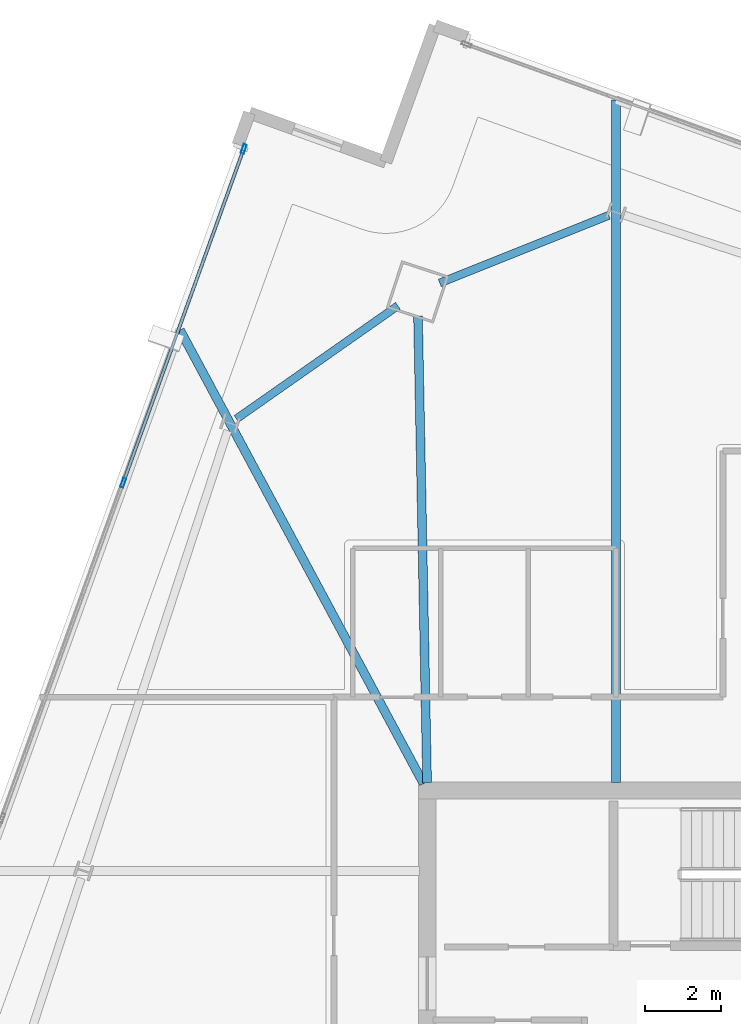
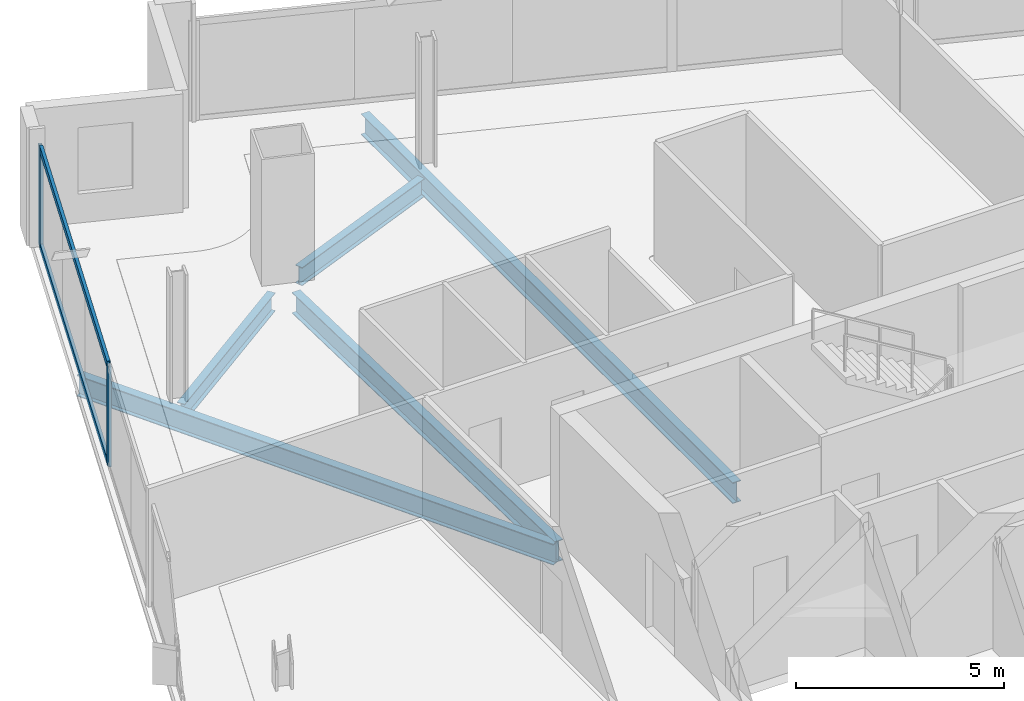
# One storey, part 13 of 27: 5 beams, 4 members, 1 element without a shape of its own.
"""IFC4 building model written with IfcOpenShell, lengths in metres."""

from ifc_helpers import new_model, si_unit, direction, frame, origin, origin_2d, place, context, subcontext, project, spatial, hollow_rectangle, i_section, extrude, material, material_profile, profile_set, type_object, element, aggregate, save


model = new_model("IFC4")

# Units and contexts
model_context = context("Model", 3, precision=1e-05, world=origin(), true_north=direction((0.0, 1.0)))
body_context = subcontext(model_context, "Body", "Model", "MODEL_VIEW")
ifc_project = project(units=[si_unit("LENGTHUNIT", "METRE"), si_unit("AREAUNIT", "SQUARE_METRE"), si_unit("VOLUMEUNIT", "CUBIC_METRE"), si_unit("PLANEANGLEUNIT", "RADIAN"), si_unit("MASSUNIT", "GRAM", prefix="KILO")], contexts=[model_context])

# Site, building, storey
site_placement = place(None, origin())
site = spatial("IfcSite", under=ifc_project, at=site_placement, CompositionType="ELEMENT")
building_placement = place(site_placement, origin())
building = spatial("IfcBuilding", under=site, at=building_placement, Name="Haldenkirk Collegiate Tower", CompositionType="ELEMENT")
storey_placement = place(building_placement, frame((0.0, 0.0, 263.699951171875)))
storey = spatial("IfcBuildingStorey", under=building, at=storey_placement, Name="L66", CompositionType="ELEMENT", Elevation=263.699951171875)

# Beams
ifc_material_1 = material(Name="Steel ASTM A992 Grade 50", Category="steel")
ifc_material_profile_1 = material_profile(ifc_material_1, i_section(OverallWidth=0.22998046875, OverallDepth=0.616943359375, WebThickness=0.01318359375, FlangeThickness=0.022216796875, at=origin_2d()), Name="W24X94")
ifc_profile_set_1 = profile_set([ifc_material_profile_1], Name="Steel ASTM A992 Grade 50")
beam_type_1 = type_object("IfcBeamType", Name="BM-GIRDER-W24X94", PredefinedType="BEAM", material=ifc_profile_set_1)
beam_1_placement = place(storey_placement, frame((26.75732421875, 46.443603515625, -0.578369140625), z_axis=(0.019505953171, -0.999809740796, 0.0), x_axis=(0.999809740796, 0.019505953171, 0.0)))
element("IfcBeam", 1, at=beam_1_placement, inside=storey, type_object=beam_type_1, Name="L66 primary floor girder 03", PredefinedType="BEAM", context=body_context, shape_type="SweptSolid", body=[
    extrude(i_section(OverallWidth=0.22998046875, OverallDepth=0.616943359375, WebThickness=0.01318359375, FlangeThickness=0.022216796875, at=origin_2d()), origin(), (0.0, 0.0, 1.0), 12.240966796875),
])
beam_2_placement = place(storey_placement, frame((31.949462890625, 52.1064453125, -0.578369140625), z_axis=(0.0, -1.0, 0.0), x_axis=(1.0, 0.0, 0.0)))
element("IfcBeam", 2, at=beam_2_placement, inside=storey, type_object=beam_type_1, Name="L66 primary floor girder 10", PredefinedType="BEAM", context=body_context, shape_type="SweptSolid", body=[
    extrude(i_section(OverallWidth=0.22998046875, OverallDepth=0.616943359375, WebThickness=0.01318359375, FlangeThickness=0.022216796875, at=origin_2d()), origin(), (0.0, 0.0, 1.0), 17.9013671875),
])
beam_3_placement = place(storey_placement, frame((20.516845703125, 46.0751953125, -0.578369140625), z_axis=(0.473036182742, -0.881043001117, 0.0), x_axis=(0.881043001117, 0.473036182742, 0.0)))
element("IfcBeam", 3, at=beam_3_placement, inside=storey, type_object=beam_type_1, Name="L66 primary floor girder 11", PredefinedType="BEAM", context=body_context, shape_type="SweptSolid", body=[
    extrude(i_section(OverallWidth=0.22998046875, OverallDepth=0.616943359375, WebThickness=0.01318359375, FlangeThickness=0.022216796875, at=origin_2d()), origin(), (0.0, 0.0, 1.0), 13.50048828125),
])
ifc_material_profile_2 = material_profile(ifc_material_1, i_section(OverallWidth=0.2099609375, OverallDepth=0.537109375, WebThickness=0.010986328125, FlangeThickness=0.017333984375, at=origin_2d()), Name="W21X68")
ifc_profile_set_2 = profile_set([ifc_material_profile_2], Name="Steel ASTM A992 Grade 50")
beam_type_2 = type_object("IfcBeamType", Name="BM-SPANDREL-W21X68", PredefinedType="SPANDREL", material=ifc_profile_set_2)
beam_4_placement = place(storey_placement, frame((31.761474609375, 49.0830078125, -0.538330078125), z_axis=(-0.928296709602, -0.371840313768, 0.0), x_axis=(0.371840313768, -0.928296709602, 0.0)))
element("IfcBeam", 4, at=beam_4_placement, inside=storey, type_object=beam_type_2, Name="L66 perimeter spandrel beam 08", PredefinedType="SPANDREL", context=body_context, shape_type="SweptSolid", body=[
    extrude(i_section(OverallWidth=0.2099609375, OverallDepth=0.537109375, WebThickness=0.010986328125, FlangeThickness=0.017333984375, at=origin_2d()), origin(), (0.0, 0.0, 1.0), 4.77392578125),
])
beam_5_placement = place(storey_placement, frame((26.22900390625, 46.7119140625, -0.538330078125), z_axis=(-0.818927819185, -0.573896529842, 0.0), x_axis=(0.573896529842, -0.818927819185, 0.0)))
element("IfcBeam", 5, at=beam_5_placement, inside=storey, type_object=beam_type_2, Name="L66 perimeter spandrel beam 09", PredefinedType="SPANDREL", context=body_context, shape_type="SweptSolid", body=[
    extrude(i_section(OverallWidth=0.2099609375, OverallDepth=0.537109375, WebThickness=0.010986328125, FlangeThickness=0.017333984375, at=origin_2d()), origin(), (0.0, 0.0, 1.0), 5.169189453125),
])

# Curtain wall, members
ifc_material_2 = material(Name="Anodised architectural bronze aluminium", Category="aluminium")
curtain_wall_type = type_object("IfcCurtainWallType", Name="CW-SYS1B-CONVEX-HI", PredefinedType="USERDEFINED", material=ifc_material_2)
curtain_wall_placement = place(storey_placement, origin())
curtain_wall = element("IfcCurtainWall", 6, at=curtain_wall_placement, inside=storey, type_object=curtain_wall_type, Name="L66 Upper tower high-wind convex bronze unitised curtain wall", ObjectType="UNITISED CURTAIN WALL", PredefinedType="USERDEFINED")
ifc_material_profile_3 = material_profile(ifc_material_2, hollow_rectangle(XDim=0.0849609375, YDim=0.25, WallThickness=0.0048828125, at=origin_2d()), Name="CW-MUL-1B")
ifc_profile_set_3 = profile_set([ifc_material_profile_3], Name="Anodised architectural bronze aluminium")
member_type_1 = type_object("IfcMemberType", Name="CW-MUL-1B", PredefinedType="MULLION", material=ifc_profile_set_3)
member_1_placement = place(storey_placement, frame((19.027587890625, 42.06787109375, 0.0), z_axis=(0.0, 0.0, 1.0), x_axis=(-0.940584906317, 0.339558587006, 0.0)))
member_1 = element("IfcMember", 7, at=member_1_placement, type_object=member_type_1, Name="CW-1B mullion 4", PredefinedType="MULLION", context=body_context, shape_type="SweptSolid", body=[
    extrude(hollow_rectangle(XDim=0.0849609375, YDim=0.25, WallThickness=0.0048828125, at=origin_2d()), origin(), (0.0, 0.0, 1.0), 2.93798828125),
])
member_2_placement = place(storey_placement, frame((22.18798828125, 50.822265625, 0.0), z_axis=(0.0, 0.0, 1.0), x_axis=(-0.940584906317, 0.339558587006, 0.0)))
member_2 = element("IfcMember", 8, at=member_2_placement, type_object=member_type_1, Name="CW-1B mullion 5", PredefinedType="MULLION", context=body_context, shape_type="SweptSolid", body=[
    extrude(hollow_rectangle(XDim=0.0849609375, YDim=0.25, WallThickness=0.0048828125, at=origin_2d()), origin(), (0.0, 0.0, 1.0), 2.93798828125),
])
ifc_material_profile_4 = material_profile(ifc_material_2, hollow_rectangle(XDim=0.0849609375, YDim=0.199951171875, WallThickness=0.0048828125, at=origin_2d()), Name="CW-TRN-1B")
ifc_profile_set_4 = profile_set([ifc_material_profile_4], Name="Anodised architectural bronze aluminium")
member_type_2 = type_object("IfcMemberType", Name="CW-TRN-1B", PredefinedType="USERDEFINED", material=ifc_profile_set_4)
member_3_placement = place(storey_placement, frame((19.0419921875, 42.10791015625, 0.04248046875), z_axis=(0.339559245306, 0.940584668665, 0.0), x_axis=(-0.940584668665, 0.339559245306, 0.0)))
member_3 = element("IfcMember", 9, at=member_3_placement, type_object=member_type_2, Name="CW-1B transom 4.1", ObjectType="TRANSOM", PredefinedType="USERDEFINED", context=body_context, shape_type="SweptSolid", body=[
    extrude(hollow_rectangle(XDim=0.0849609375, YDim=0.199951171875, WallThickness=0.0048828125, at=origin_2d()), origin(), (0.0, 0.0, 1.0), 9.222412109375),
])
member_4_placement = place(storey_placement, frame((19.0419921875, 42.10791015625, 2.8955078125), z_axis=(0.339559245306, 0.940584668665, 0.0), x_axis=(-0.940584668665, 0.339559245306, 0.0)))
member_4 = element("IfcMember", 10, at=member_4_placement, type_object=member_type_2, Name="CW-1B transom 4.2", ObjectType="TRANSOM", PredefinedType="USERDEFINED", context=body_context, shape_type="SweptSolid", body=[
    extrude(hollow_rectangle(XDim=0.0849609375, YDim=0.199951171875, WallThickness=0.0048828125, at=origin_2d()), origin(), (0.0, 0.0, 1.0), 9.222412109375),
])
aggregate(curtain_wall, [member_1, member_2, member_3, member_4])

save(model, "model.ifc")
